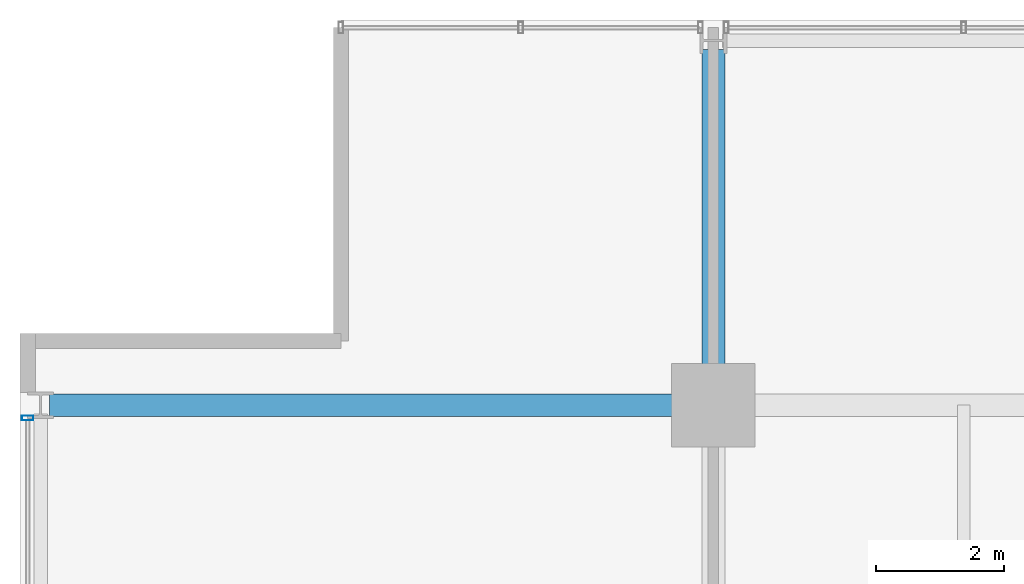
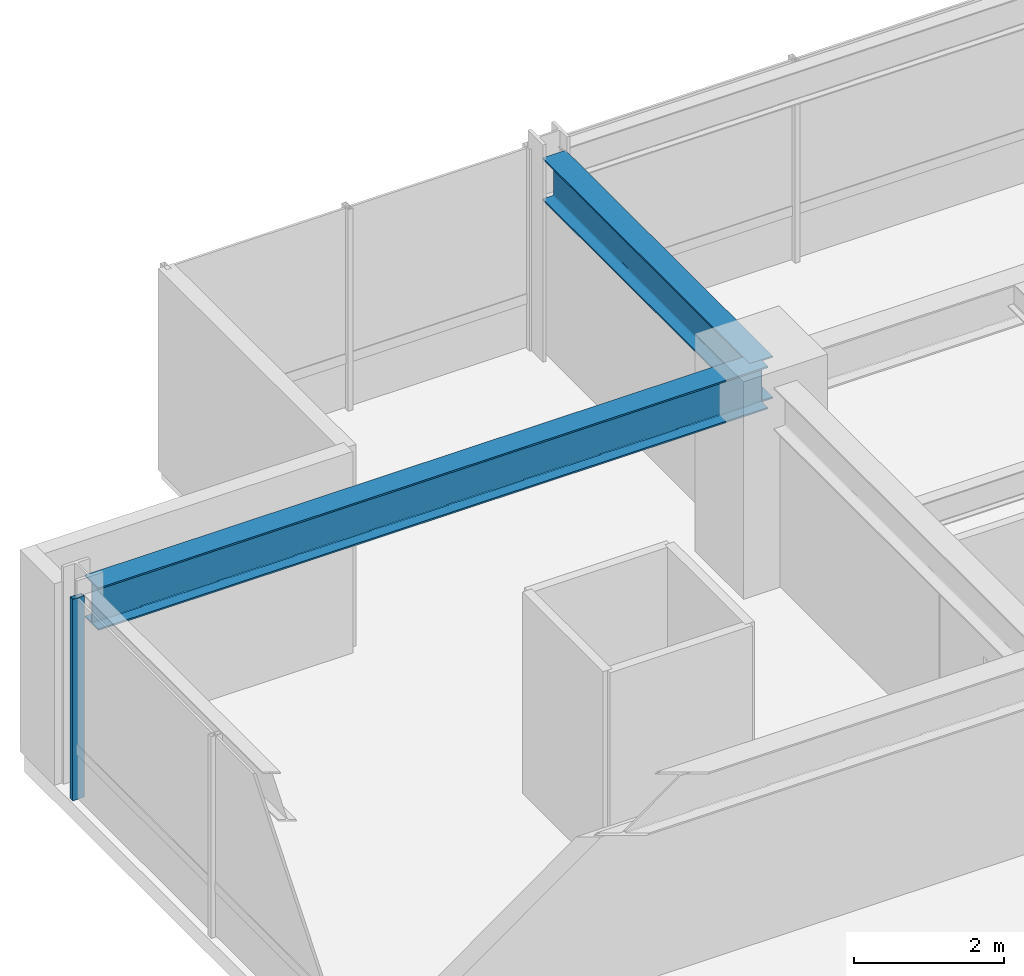
# One storey, part 19 of 32: 2 beams, 1 member, 1 element without a shape of its own.
"""IFC4 building model written with IfcOpenShell, lengths in metres."""

from ifc_helpers import new_model, si_unit, direction, frame, origin, origin_2d, place, context, subcontext, project, spatial, hollow_rectangle, i_section, extrude, material, layer, layer_set, material_profile, profile_set, type_object, element, aggregate, save


model = new_model("IFC4")

# Units and contexts
model_context = context("Model", 3, precision=1e-05, world=origin(), true_north=direction((0.0, 1.0)))
body_context = subcontext(model_context, "Body", "Model", "MODEL_VIEW")
ifc_project = project(units=[si_unit("LENGTHUNIT", "METRE"), si_unit("AREAUNIT", "SQUARE_METRE"), si_unit("VOLUMEUNIT", "CUBIC_METRE"), si_unit("PLANEANGLEUNIT", "RADIAN"), si_unit("MASSUNIT", "GRAM", prefix="KILO")], contexts=[model_context])

# Site, building, storey
site_placement = place(None, origin())
site = spatial("IfcSite", under=ifc_project, at=site_placement, CompositionType="ELEMENT")
building_placement = place(site_placement, origin())
building = spatial("IfcBuilding", under=site, at=building_placement, Name="Drelvath Grand Hotel", CompositionType="ELEMENT")
storey_placement = place(building_placement, frame((0.0, 0.0, 164.60009765625)))
storey = spatial("IfcBuildingStorey", under=building, at=storey_placement, Name="L42", CompositionType="ELEMENT", Elevation=164.60009765625)

# Curtain wall, member
ifc_material_1 = material(Name="Brushed Pale-Silver Anodised Aluminium Frame", Category="aluminium")
ifc_layer = layer(ifc_material_1, 0.199951171875)
ifc_layer_set = layer_set([ifc_layer], Name="Brushed Pale-Silver Anodised Aluminium Frame")
curtain_wall_type = type_object("IfcCurtainWallType", Name="Stick Curtain Wall CW-04 Brushed Silver Upper-Mid", PredefinedType="NOTDEFINED", material=ifc_layer_set)
curtain_wall_placement = place(storey_placement, origin())
curtain_wall = element("IfcCurtainWall", 1, at=curtain_wall_placement, inside=storey, type_object=curtain_wall_type, Name="L42 CW-04 Curtain Wall CW04-L42-WN2", PredefinedType="NOTDEFINED")
ifc_material_profile_1 = material_profile(ifc_material_1, hollow_rectangle(XDim=0.074951171875, YDim=0.179931640625, WallThickness=0.0048828125, at=origin_2d()), Name="HSS180X75X5")
ifc_profile_set_1 = profile_set([ifc_material_profile_1], Name="Brushed Pale-Silver Anodised Aluminium Frame")
member_type = type_object("IfcMemberType", Name="Curtain Wall Vertical Mullion CW-04 HSS180X75X5", PredefinedType="MULLION", material=ifc_profile_set_1)
member_placement = place(storey_placement, frame((-26.8798828125, 43.0, 0.0), z_axis=(0.0, 0.0, 1.0), x_axis=(0.0, 1.0, 0.0)))
member = element("IfcMember", 2, at=member_placement, type_object=member_type, Name="CW04-L42-WN2 Mullion 3", PredefinedType="MULLION", context=body_context, shape_type="SweptSolid", body=[
    extrude(hollow_rectangle(XDim=0.074951171875, YDim=0.179931640625, WallThickness=0.0048828125, at=origin_2d()), origin(), (0.0, 0.0, 1.0), 3.289794921875),
])
aggregate(curtain_wall, [member])

# Beams
ifc_material_2 = material(Name="Steel ASTM A992 Gr 50", Category="steel")
ifc_material_profile_2 = material_profile(ifc_material_2, i_section(OverallWidth=0.354736328125, OverallDepth=0.695556640625, WebThickness=0.015380859375, FlangeThickness=0.025146484375, FilletRadius=0.02392578125, at=origin_2d()), Name="W27X146")
ifc_profile_set_2 = profile_set([ifc_material_profile_2], Name="Steel ASTM A992 Gr 50")
beam_type = type_object("IfcBeamType", Name="Primary Floor Girder W27X146", PredefinedType="BEAM", material=ifc_profile_set_2)
beam_1_placement = place(storey_placement, frame((-26.5400390625, 43.199951171875, 2.942138671875), z_axis=(1.0, 0.0, 0.0), x_axis=(0.0, 1.0, 0.0)))
element("IfcBeam", 3, at=beam_1_placement, inside=storey, type_object=beam_type, Name="L42 West Grid Girder G", PredefinedType="BEAM", context=body_context, shape_type="SweptSolid", body=[
    extrude(i_section(OverallWidth=0.354736328125, OverallDepth=0.695556640625, WebThickness=0.015380859375, FlangeThickness=0.025146484375, FilletRadius=0.02392578125, at=origin_2d()), origin(), (0.0, 0.0, 1.0), 10.340087890625),
])
beam_2_placement = place(storey_placement, frame((-16.199951171875, 43.199951171875, 2.942138671875), z_axis=(0.0, 1.0, 0.0), x_axis=(-1.0, 0.0, 0.0)))
element("IfcBeam", 4, at=beam_2_placement, inside=storey, type_object=beam_type, Name="L42 North Grid Girder 3", PredefinedType="BEAM", context=body_context, shape_type="SweptSolid", body=[
    extrude(i_section(OverallWidth=0.354736328125, OverallDepth=0.695556640625, WebThickness=0.015380859375, FlangeThickness=0.025146484375, FilletRadius=0.02392578125, at=origin_2d()), origin(), (0.0, 0.0, 1.0), 5.5400390625),
])

save(model, "model.ifc")
